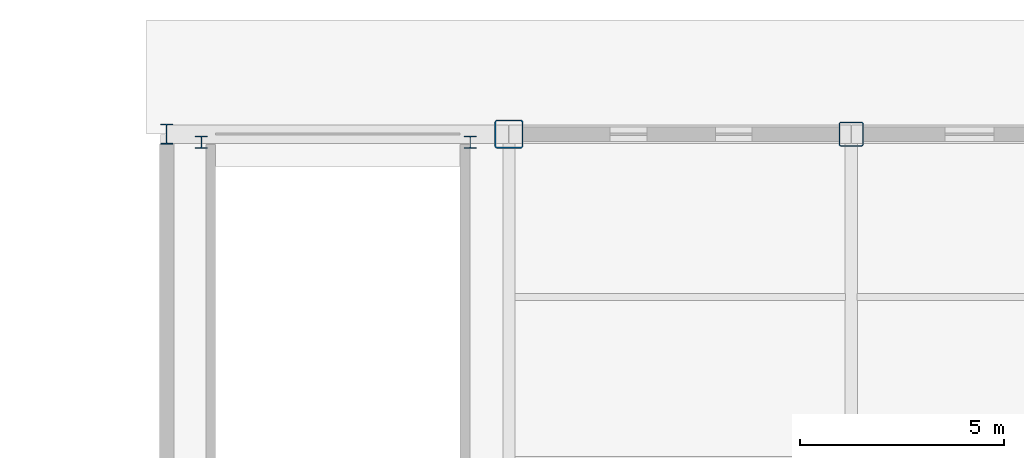
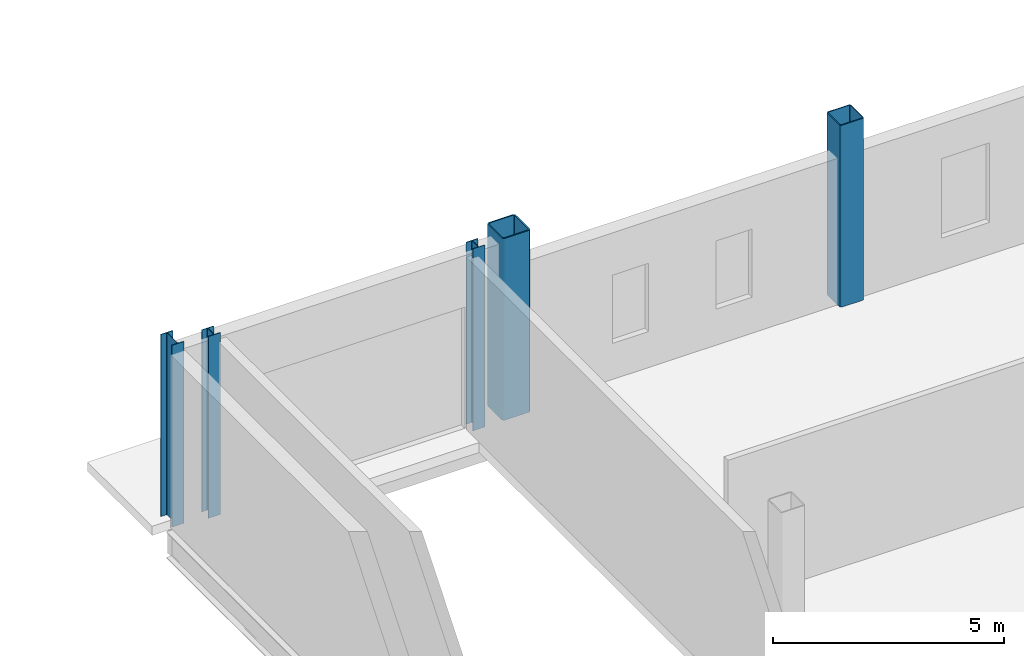
# One storey, part 13 of 82: 5 columns.
"""IFC4 building model written with IfcOpenShell, lengths in metres."""

from ifc_helpers import new_model, si_unit, direction, frame, origin, origin_2d, place, context, subcontext, project, spatial, hollow_rectangle, i_section, extrude, material, material_profile, profile_set, type_object, element, save


model = new_model("IFC4")

# Units and contexts
model_context = context("Model", 3, precision=1e-05, world=origin(), true_north=direction((0.0, 1.0)))
body_context = subcontext(model_context, "Body", "Model", "MODEL_VIEW")
ifc_project = project(units=[si_unit("LENGTHUNIT", "METRE"), si_unit("AREAUNIT", "SQUARE_METRE"), si_unit("VOLUMEUNIT", "CUBIC_METRE"), si_unit("PLANEANGLEUNIT", "RADIAN"), si_unit("MASSUNIT", "GRAM", prefix="KILO")], contexts=[model_context])

# Site, building, storey
site_placement = place(None, origin())
site = spatial("IfcSite", under=ifc_project, at=site_placement, CompositionType="ELEMENT")
building_placement = place(site_placement, origin())
building = spatial("IfcBuilding", under=site, at=building_placement, Name="Yukiwa Park Conservatory and Herbarium", CompositionType="ELEMENT")
storey_placement = place(building_placement, origin())
storey = spatial("IfcBuildingStorey", under=building, at=storey_placement, Name="L00", CompositionType="ELEMENT", Elevation=0.0)

# Columns
ifc_material_1 = material(Name="Steel Q355D", Category="steel")
ifc_material_profile_1 = material_profile(ifc_material_1, hollow_rectangle(XDim=0.60009765625, YDim=0.60009765625, WallThickness=0.02490234375, InnerFilletRadius=0.02490234375, OuterFilletRadius=0.050048828125, at=origin_2d()), Name="BOX 600x600x25")
ifc_profile_set_1 = profile_set([ifc_material_profile_1], Name="Steel Q355D")
column_type_1 = type_object("IfcColumnType", Name="COL-TW-BOX600-EXT", PredefinedType="COLUMN", material=ifc_profile_set_1)
column_1_placement = place(storey_placement, frame((124.800048828125, 115.199951171875, 0.0), z_axis=(0.0, 0.0, 1.0), x_axis=(1.0, 0.0, 0.0)))
element("IfcColumn", 1, at=column_1_placement, inside=storey, type_object=column_type_1, Name="L00 column V5-X1248-Y1152", PredefinedType="COLUMN", context=body_context, shape_type="SweptSolid", body=[
    extrude(hollow_rectangle(XDim=0.60009765625, YDim=0.60009765625, WallThickness=0.02490234375, InnerFilletRadius=0.02490234375, OuterFilletRadius=0.050048828125, at=origin_2d()), origin(), (0.0, 0.0, 1.0), 4.800048828125),
])
ifc_material_2 = material(Name="Steel Q355D", Category="steel")
ifc_material_profile_2 = material_profile(ifc_material_2, hollow_rectangle(XDim=0.699951171875, YDim=0.699951171875, WallThickness=0.031982421875, InnerFilletRadius=0.031982421875, OuterFilletRadius=0.06396484375, at=origin_2d()), Name="BOX 700x700x32")
ifc_profile_set_2 = profile_set([ifc_material_profile_2], Name="Steel Q355D")
column_type_2 = type_object("IfcColumnType", Name="COL-TW-BOX700-EXT", PredefinedType="COLUMN", material=ifc_profile_set_2)
column_2_placement = place(storey_placement, frame((116.39990234375, 115.199951171875, 0.0), z_axis=(0.0, 0.0, 1.0), x_axis=(1.0, 0.0, 0.0)))
element("IfcColumn", 2, at=column_2_placement, inside=storey, type_object=column_type_2, Name="L00 column V5-X1164-Y1152", PredefinedType="COLUMN", context=body_context, shape_type="SweptSolid", body=[
    extrude(hollow_rectangle(XDim=0.699951171875, YDim=0.699951171875, WallThickness=0.031982421875, InnerFilletRadius=0.031982421875, OuterFilletRadius=0.06396484375, at=origin_2d()), origin(), (0.0, 0.0, 1.0), 4.800048828125),
])
ifc_material_3 = material(Name="Steel Q355D", Category="steel")
ifc_material_profile_3 = material_profile(ifc_material_3, i_section(OverallWidth=0.300048828125, OverallDepth=0.300048828125, WebThickness=0.010009765625, FlangeThickness=0.014892578125, FilletRadius=0.01806640625, at=origin_2d()), Name="HW 300x300x10x15")
ifc_profile_set_3 = profile_set([ifc_material_profile_3], Name="Steel Q355D")
column_type_3 = type_object("IfcColumnType", Name="COL-TW-HW300-EXT", PredefinedType="COLUMN", material=ifc_profile_set_3)
for number, where, z_axis, x_axis, name in (
    (3, (108.85009765625, 115.0, 0.0), (0.0, 0.0, 1.0), (1.0, 0.0, 0.0), "Service ramp canopy L00 portal post 1"),
    (4, (115.449951171875, 115.0, 0.0), (0.0, 0.0, 1.0), (1.0, 0.0, 0.0), "Service ramp canopy L00 portal post 2"),
):
    element("IfcColumn", number, at=place(storey_placement, frame(where, z_axis=z_axis, x_axis=x_axis)), inside=storey, type_object=column_type_3, Name=name, PredefinedType="COLUMN", context=body_context, shape_type="SweptSolid", body=[
        extrude(i_section(OverallWidth=0.300048828125, OverallDepth=0.300048828125, WebThickness=0.010009765625, FlangeThickness=0.014892578125, FilletRadius=0.01806640625, at=origin_2d()), origin(), (0.0, 0.0, 1.0), 4.800048828125),
    ])
ifc_material_4 = material(Name="Steel Q355D", Category="steel")
ifc_material_profile_4 = material_profile(ifc_material_4, i_section(OverallWidth=0.300048828125, OverallDepth=0.488037109375, WebThickness=0.010986328125, FlangeThickness=0.01806640625, FilletRadius=0.02392578125, at=origin_2d()), Name="HM 488x300x11x18")
ifc_profile_set_4 = profile_set([ifc_material_profile_4], Name="Steel Q355D")
column_type_4 = type_object("IfcColumnType", Name="COL-VS-HM488-EXT", PredefinedType="COLUMN", material=ifc_profile_set_4)
column_3_placement = place(storey_placement, frame((108.0, 115.199951171875, 0.0), z_axis=(0.0, 0.0, 1.0), x_axis=(1.0, 0.0, 0.0)))
element("IfcColumn", 5, at=column_3_placement, inside=storey, type_object=column_type_4, Name="L00 column RMP-X1080-Y1152", PredefinedType="COLUMN", context=body_context, shape_type="SweptSolid", body=[
    extrude(i_section(OverallWidth=0.300048828125, OverallDepth=0.488037109375, WebThickness=0.010986328125, FlangeThickness=0.01806640625, FilletRadius=0.02392578125, at=origin_2d()), origin(), (0.0, 0.0, 1.0), 4.800048828125),
])

save(model, "model.ifc")
